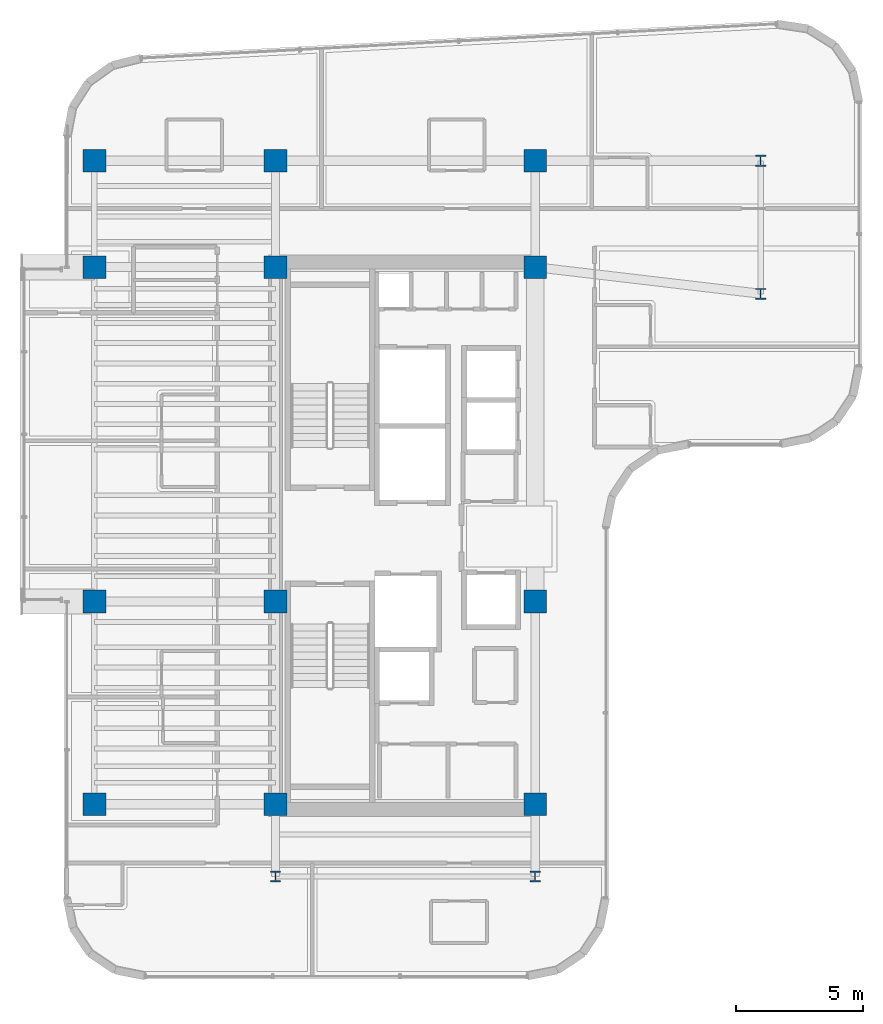
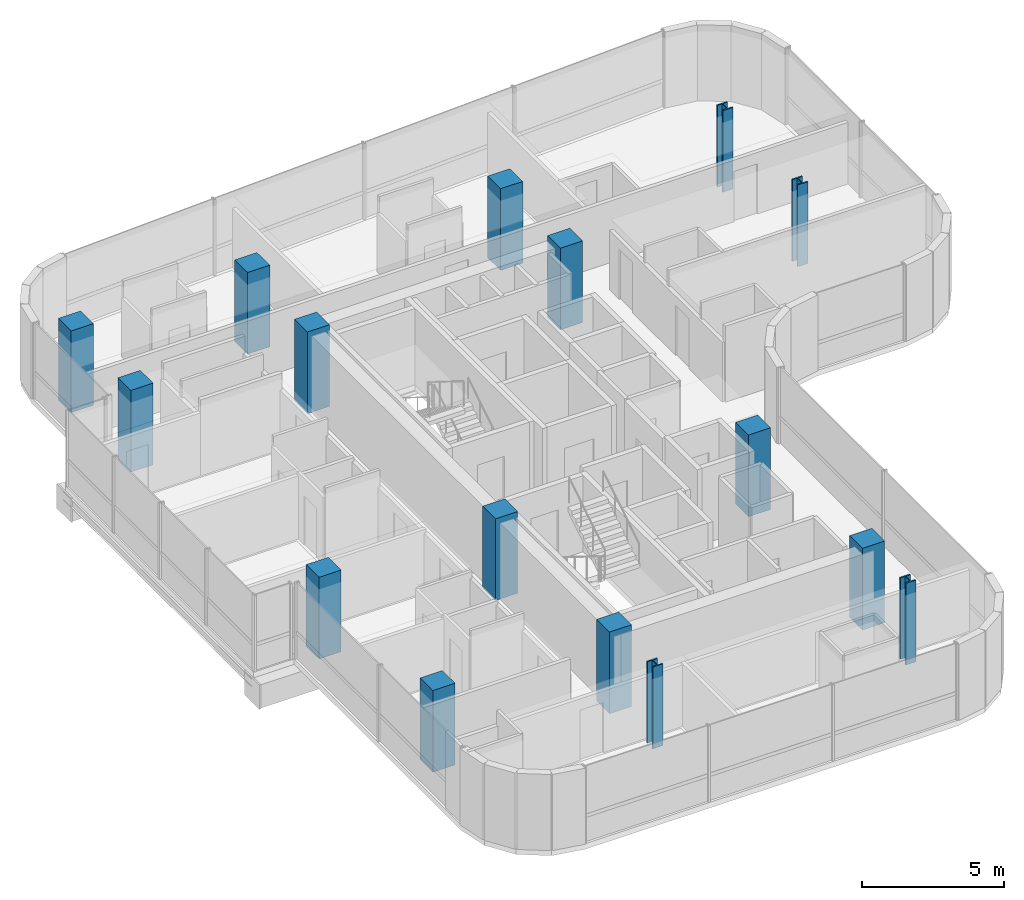
# One storey, part 1 of 22: 16 columns.
"""IFC4 building model written with IfcOpenShell, lengths in metres."""

from ifc_helpers import new_model, si_unit, direction, frame, origin, origin_2d, place, context, subcontext, project, spatial, rectangle, i_section, extrude, source, transform, mapped, material, material_profile, profile_set, type_object, element, save


model = new_model("IFC4")

# Units and contexts
model_context = context("Model", 3, precision=1e-05, world=origin(), true_north=direction((0.0, 1.0)))
body_context = subcontext(model_context, "Body", "Model", "MODEL_VIEW")
ifc_project = project(units=[si_unit("LENGTHUNIT", "METRE"), si_unit("AREAUNIT", "SQUARE_METRE"), si_unit("VOLUMEUNIT", "CUBIC_METRE"), si_unit("PLANEANGLEUNIT", "RADIAN"), si_unit("MASSUNIT", "GRAM", prefix="KILO")], contexts=[model_context])

# Site, building, storey
site_placement = place(None, origin())
site = spatial("IfcSite", under=ifc_project, at=site_placement, CompositionType="ELEMENT")
building_placement = place(site_placement, origin())
building = spatial("IfcBuilding", under=site, at=building_placement, Name="Valdorenza Pilgrim Sanctuary Tower", CompositionType="ELEMENT")
storey_placement = place(building_placement, frame((0.0, 0.0, 216.0)))
storey = spatial("IfcBuildingStorey", under=building, at=storey_placement, Name="L55", CompositionType="ELEMENT", Elevation=216.0)

# Columns
ifc_material_1 = material(Name="Concrete C50/60", Category="concrete")
ifc_material_profile_1 = material_profile(ifc_material_1, rectangle(XDim=0.89990234375, YDim=0.89990234375, at=origin_2d()), Name="RC 900x900")
ifc_profile_set_1 = profile_set([ifc_material_profile_1], Name="Concrete C50/60")
column_type_1 = type_object("IfcColumnType", Name="COL-Z4A-900", PredefinedType="COLUMN", material=ifc_profile_set_1)
shared_shape_1 = source(origin(), body_context, "Body", "SweptSolid", [
    extrude(rectangle(XDim=0.89990234375, YDim=0.89990234375, at=origin_2d()), origin(), (0.0, 0.0, 1.0), 3.5),
])
for number, where, z_axis, x_axis, name in (
    (1, (-29.800048828125, -10.60009765625, 0.0), (0.0, 0.0, 1.0), (1.0, 0.0, 0.0), "L55 Perimeter Column WA-W-S1"),
    (2, (-22.64990234375, -10.60009765625, 0.0), (0.0, 0.0, 1.0), (1.0, 0.0, 0.0), "L55 Column CA-W-S1"),
    (3, (-12.39990234375, -10.60009765625, 0.0), (0.0, 0.0, 1.0), (1.0, 0.0, 0.0), "L55 Column CA-E-S1"),
    (4, (-29.800048828125, -2.60009765625, 0.0), (0.0, 0.0, 1.0), (1.0, 0.0, 0.0), "L55 Perimeter Column WA-W-M0"),
    (5, (-22.64990234375, -2.60009765625, 0.0), (0.0, 0.0, 1.0), (1.0, 0.0, 0.0), "L55 Column CA-W-M0"),
    (6, (-12.39990234375, -2.60009765625, 0.0), (0.0, 0.0, 1.0), (1.0, 0.0, 0.0), "L55 Column CA-E-M0"),
    (7, (-29.800048828125, 10.60009765625, 0.0), (0.0, 0.0, 1.0), (1.0, 0.0, 0.0), "L55 Perimeter Column WA-W-N1"),
    (8, (-22.64990234375, 10.60009765625, 0.0), (0.0, 0.0, 1.0), (1.0, 0.0, 0.0), "L55 Column CA-W-N1"),
    (9, (-12.39990234375, 10.60009765625, 0.0), (0.0, 0.0, 1.0), (1.0, 0.0, 0.0), "L55 Column CA-E-N1"),
    (10, (-29.800048828125, 14.800048828125, 0.0), (0.0, 0.0, 1.0), (1.0, 0.0, 0.0), "L55 Perimeter Column WA-W-N2"),
    (11, (-22.64990234375, 14.800048828125, 0.0), (0.0, 0.0, 1.0), (1.0, 0.0, 0.0), "L55 Column CA-W-N2"),
    (12, (-12.39990234375, 14.800048828125, 0.0), (0.0, 0.0, 1.0), (1.0, 0.0, 0.0), "L55 Column CA-E-N2"),
):
    element("IfcColumn", number, at=place(storey_placement, frame(where, z_axis=z_axis, x_axis=x_axis)), inside=storey, type_object=column_type_1, Name=name, PredefinedType="COLUMN", context=body_context, shape_type="MappedRepresentation", body=[
        mapped(shared_shape_1, transform((0.0, 0.0, 0.0), x_axis=(1.0, 0.0, 0.0), y_axis=(0.0, 1.0, 0.0), z_axis=(0.0, 0.0, 1.0), scale=1.0)),
    ])
ifc_material_2 = material(Name="Steel ASTM A992 Grade 50", Category="steel")
ifc_material_profile_2 = material_profile(ifc_material_2, i_section(OverallWidth=0.412109375, OverallDepth=0.43505859375, WebThickness=0.035888671875, FlangeThickness=0.057373046875, at=origin_2d()), Name="W14X311")
ifc_profile_set_2 = profile_set([ifc_material_profile_2], Name="Steel ASTM A992 Grade 50")
column_type_2 = type_object("IfcColumnType", Name="COL-STL-W311", PredefinedType="COLUMN", material=ifc_profile_set_2)
shared_shape_2 = source(origin(), body_context, "Body", "SweptSolid", [
    extrude(i_section(OverallWidth=0.412109375, OverallDepth=0.43505859375, WebThickness=0.035888671875, FlangeThickness=0.057373046875, at=origin_2d()), origin(), (0.0, 0.0, 1.0), 3.5),
])
for number, where, z_axis, x_axis, name in (
    (13, (-22.64990234375, -13.449951171875, 0.0), (0.0, 0.0, 1.0), (1.0, 0.0, 0.0), "L55 Column WA-S-W"),
    (14, (-12.39990234375, -13.449951171875, 0.0), (0.0, 0.0, 1.0), (1.0, 0.0, 0.0), "L55 Column WA-S-E"),
    (15, (-3.5, 9.550048828125, 0.0), (0.0, 0.0, 1.0), (1.0, 0.0, 0.0), "L55 Column UWA-K1"),
    (16, (-3.5, 14.800048828125, 0.0), (0.0, 0.0, 1.0), (1.0, 0.0, 0.0), "L55 Column UWA-K2"),
):
    element("IfcColumn", number, at=place(storey_placement, frame(where, z_axis=z_axis, x_axis=x_axis)), inside=storey, type_object=column_type_2, Name=name, PredefinedType="COLUMN", context=body_context, shape_type="MappedRepresentation", body=[
        mapped(shared_shape_2, transform((0.0, 0.0, 0.0), x_axis=(1.0, 0.0, 0.0), y_axis=(0.0, 1.0, 0.0), z_axis=(0.0, 0.0, 1.0), scale=1.0)),
    ])

save(model, "model.ifc")
